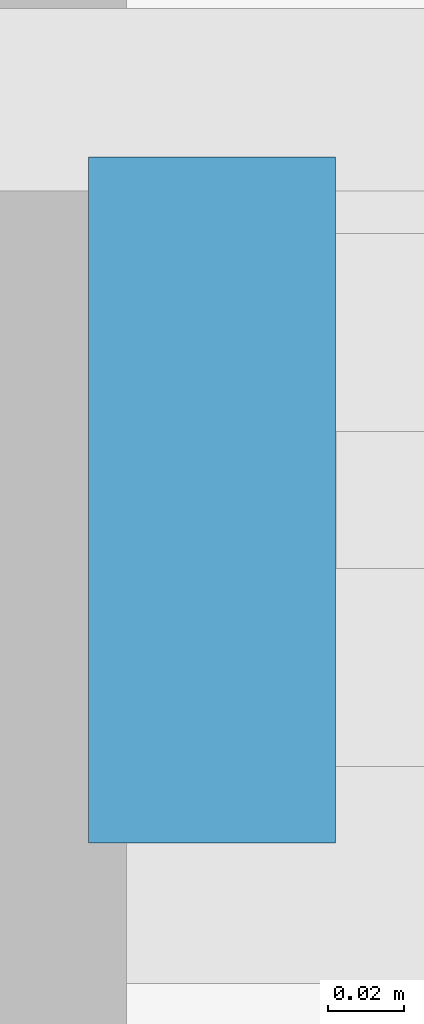
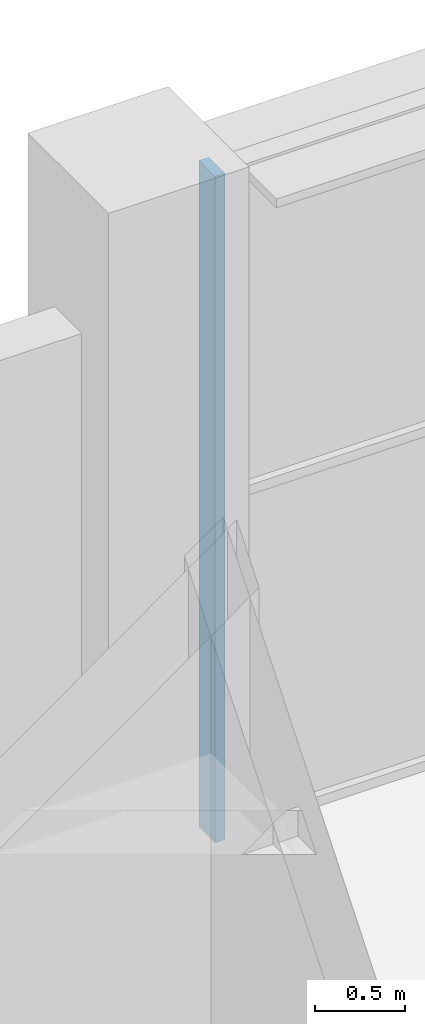
# One storey, part 53 of 183: 1 member, 1 element without a shape of its own.
"""IFC4 building model written with IfcOpenShell, lengths in metres."""

from ifc_helpers import new_model, si_unit, direction, frame, origin, origin_2d, place, context, subcontext, project, spatial, rectangle, extrude, material, material_profile, profile_set, type_object, element, aggregate, save


model = new_model("IFC4")

# Units and contexts
model_context = context("Model", 3, precision=1e-05, world=origin(), true_north=direction((0.0, 1.0)))
body_context = subcontext(model_context, "Body", "Model", "MODEL_VIEW")
ifc_project = project(units=[si_unit("LENGTHUNIT", "METRE"), si_unit("AREAUNIT", "SQUARE_METRE"), si_unit("VOLUMEUNIT", "CUBIC_METRE"), si_unit("PLANEANGLEUNIT", "RADIAN"), si_unit("MASSUNIT", "GRAM", prefix="KILO")], contexts=[model_context])

# Site, building, storey
site_placement = place(None, origin())
site = spatial("IfcSite", under=ifc_project, at=site_placement, CompositionType="ELEMENT")
building_placement = place(site_placement, origin())
building = spatial("IfcBuilding", under=site, at=building_placement, Name="Zevraka Park Crest Stadium", CompositionType="ELEMENT")
storey_placement = place(building_placement, frame((0.0, 0.0, 5.39990234375)))
storey = spatial("IfcBuildingStorey", under=building, at=storey_placement, Name="L01", CompositionType="ELEMENT", Elevation=5.39990234375)

# Curtain wall, member
ifc_material_1 = material(Name="Anodised architectural aluminium and laminated safety glass", Category="aluminium")
curtain_wall_type = type_object("IfcCurtainWallType", Name="CW29", PredefinedType="NOTDEFINED", material=ifc_material_1)
curtain_wall_placement = place(storey_placement, origin())
curtain_wall = element("IfcCurtainWall", 1, at=curtain_wall_placement, inside=storey, type_object=curtain_wall_type, Name="Wing Curtain Wall CW29 L01-NW-N-8", PredefinedType="NOTDEFINED")
ifc_material_2 = material(Name="Anodised architectural aluminium", Category="aluminium")
ifc_material_profile = material_profile(ifc_material_2, rectangle(XDim=0.179931640625, YDim=0.06494140625, at=origin_2d()), Name="ALU MULLION 180x65")
ifc_profile_set = profile_set([ifc_material_profile], Name="Anodised architectural aluminium")
member_type = type_object("IfcMemberType", Name="CM02", PredefinedType="MULLION", material=ifc_profile_set)
member_placement = place(storey_placement, frame((63.472412109375, 184.0, 0.0), z_axis=(0.0, 0.0, 1.0), x_axis=(0.0, 1.0, 0.0)))
member = element("IfcMember", 2, at=member_placement, type_object=member_type, Name="CW29 mullion 1", PredefinedType="MULLION", context=body_context, shape_type="SweptSolid", body=[
    extrude(rectangle(XDim=0.179931640625, YDim=0.06494140625, at=origin_2d()), origin(), (0.0, 0.0, 1.0), 4.52001953125),
])
aggregate(curtain_wall, [member])

save(model, "model.ifc")
